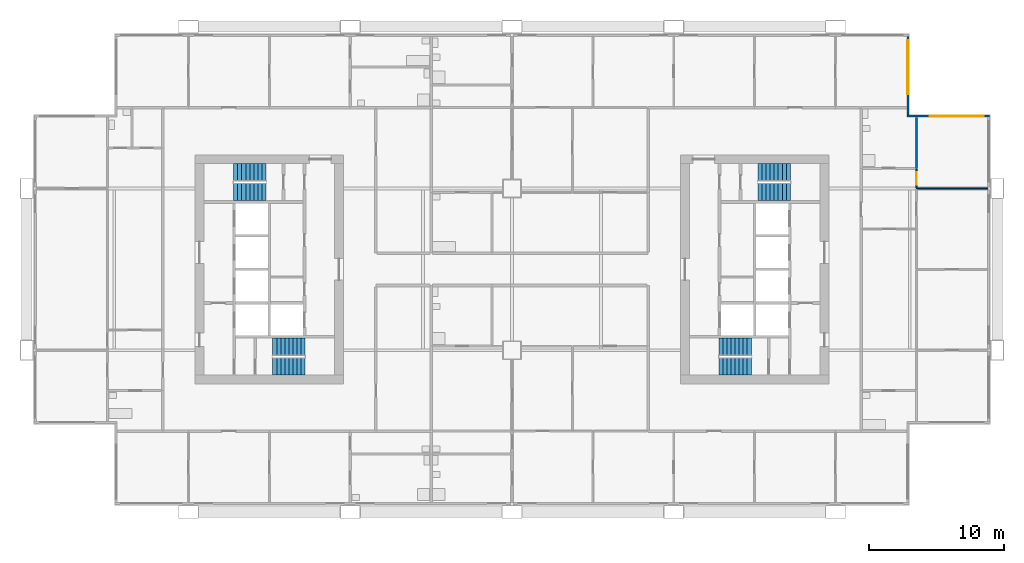
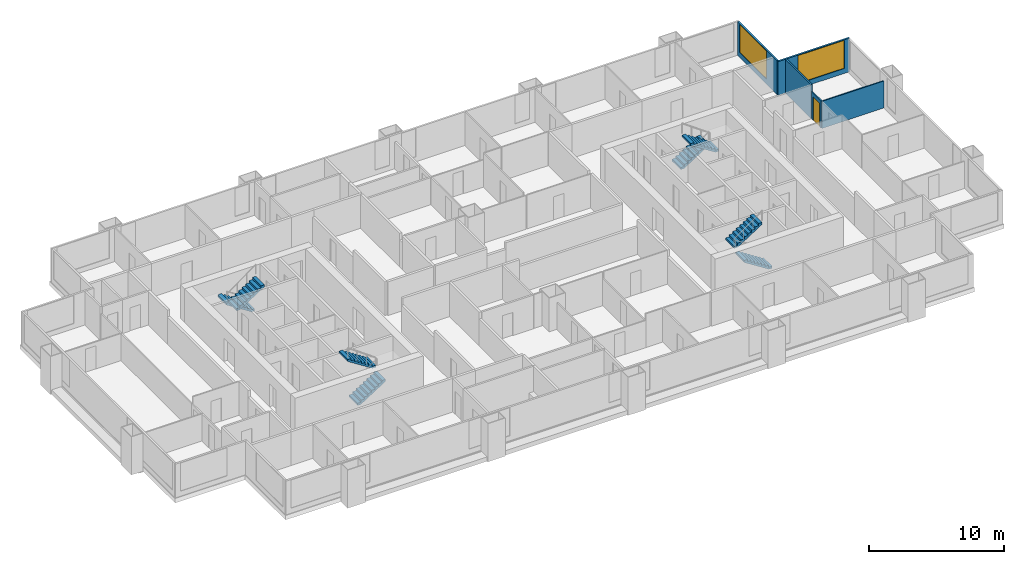
# One storey, part 9 of 11: 8 stair flights, 5 walls, 2 windows, 1 door, 3 openings, 4 elements without a shape of their own.
"""IFC4 building model written with IfcOpenShell, lengths in metres."""

from ifc_helpers import new_model, si_unit, direction, frame, frame_2d, origin, place, context, subcontext, project, spatial, polyline, rectangle, outline, extrude, material, layer, layer_set, type_object, element, fill, aggregate, save


model = new_model("IFC4")

# Units and contexts
model_context = context("Model", 3, precision=1e-05, world=origin(), true_north=direction((0.0, 1.0)))
body_context = subcontext(model_context, "Body", "Model", "MODEL_VIEW")
ifc_project = project(units=[si_unit("LENGTHUNIT", "METRE"), si_unit("AREAUNIT", "SQUARE_METRE"), si_unit("VOLUMEUNIT", "CUBIC_METRE"), si_unit("PLANEANGLEUNIT", "RADIAN"), si_unit("MASSUNIT", "GRAM", prefix="KILO")], contexts=[model_context])

# Site, building, storey
site_placement = place(None, origin())
site = spatial("IfcSite", under=ifc_project, at=site_placement, CompositionType="ELEMENT")
building_placement = place(site_placement, origin())
building = spatial("IfcBuilding", under=site, at=building_placement, Name="Kitamizu Gate Tower and Museum", CompositionType="ELEMENT")
storey_placement = place(building_placement, frame((0.0, 0.0, 106.949951171875)))
storey = spatial("IfcBuildingStorey", under=building, at=storey_placement, Name="L27", CompositionType="ELEMENT", Elevation=106.949951171875)

# Wall
ifc_material_1 = material(Name="Gypsum board on galvanised stud")
ifc_layer_1 = layer(ifc_material_1, 0.10009765625)
ifc_layer_set_1 = layer_set([ifc_layer_1], Name="Gypsum board on galvanised stud")
wall_type_1 = type_object("IfcWallType", Name="Partition 100 NOT RATED", PredefinedType="PARTITIONING", material=ifc_layer_set_1)
wall_1_placement = place(storey_placement, frame((71.280029296875, 36.0, 0.0), z_axis=(0.0, 0.0, 1.0), x_axis=(-1.0, 0.0, 0.0)))
element("IfcWall", 1, at=wall_1_placement, inside=storey, type_object=wall_type_1, Name="Partition L27-073", PredefinedType="PARTITIONING", context=body_context, shape_type="SweptSolid", body=[
    extrude(rectangle(XDim=5.280029296875, YDim=0.10009765625, at=frame_2d((2.64013671875, 0.0))), origin(), (0.0, 0.0, 1.0), 2.449951171875),
])

# Wall, opening, door
wall_2_placement = place(storey_placement, frame((66.0, 37.425048828125, 0.0), z_axis=(0.0, 0.0, 1.0), x_axis=(0.0, -1.0, 0.0)))
wall_2 = element("IfcWall", 2, at=wall_2_placement, inside=storey, type_object=wall_type_1, Name="Partition L27-076", PredefinedType="PARTITIONING", context=body_context, shape_type="SweptSolid", body=[
    extrude(rectangle(XDim=1.375, YDim=0.10009765625, at=frame_2d((0.6875, 0.0))), origin(), (0.0, 0.0, 1.0), 2.449951171875),
])
opening_1_placement = place(wall_2_placement, frame((0.237548828125, 0.0, 0.0)))
opening_1 = element("IfcOpeningElement", 3, at=opening_1_placement, cuts=wall_2, Name="Opening L27-028", PredefinedType="OPENING", context=body_context, shape_type="SweptSolid", body=[
    extrude(rectangle(XDim=0.89990234375, YDim=2.10009765625, at=frame_2d((0.449951171875, 1.050048828125))), frame((0.0, 0.06005859375, 0.0), z_axis=(0.0, -1.0, 0.0), x_axis=(1.0, 0.0, 0.0)), (0.0, 0.0, 1.0), 0.1201171875),
])
ifc_material_2 = material(Name="Timber door set", Category="wood")
door_type = type_object("IfcDoorType", Name="Room door 900", OperationType="NOTDEFINED", PredefinedType="DOOR", material=ifc_material_2)
door_placement = place(opening_1_placement, origin())
door = element("IfcDoor", 4, at=door_placement, inside=storey, type_object=door_type, Name="Door L27-028", OperationType="SINGLE_SWING_LEFT", OverallHeight=2.10009765625, OverallWidth=0.89990234375, PredefinedType="DOOR", context=body_context, shape_type="SweptSolid", body=[
    extrude(rectangle(XDim=0.89990234375, YDim=2.10009765625, at=frame_2d((0.449951171875, 1.050048828125))), frame((0.0, 0.02490234375, 0.0), z_axis=(0.0, -1.0, 0.0), x_axis=(1.0, 0.0, 0.0)), (0.0, 0.0, 1.0), 0.050048828125),
])
fill(opening_1, door)

# Wall
ifc_material_3 = material(Name="Gypsum board on galvanised stud")
ifc_layer_2 = layer(ifc_material_3, 0.14990234375)
ifc_layer_set_2 = layer_set([ifc_layer_2], Name="Gypsum board on galvanised stud")
wall_type_2 = type_object("IfcWallType", Name="Partition 150", PredefinedType="PARTITIONING", material=ifc_layer_set_2)
wall_3_placement = place(storey_placement, frame((66.0, 41.280029296875, 0.0), z_axis=(0.0, 0.0, 1.0), x_axis=(0.0, -1.0, 0.0)))
element("IfcWall", 5, at=wall_3_placement, inside=storey, type_object=wall_type_2, Name="Partition L27-077", PredefinedType="PARTITIONING", context=body_context, shape_type="SweptSolid", body=[
    extrude(rectangle(XDim=3.780029296875, YDim=0.14990234375, at=frame_2d((1.89013671875, 0.0))), origin(), (0.0, 0.0, 1.0), 3.050048828125),
])

# Wall, opening, window
ifc_material_4 = material(Name="Bronze anodised aluminium frame with insulated spandrel and tinted glass", Category="aluminium")
ifc_layer_3 = layer(ifc_material_4, 0.14990234375)
ifc_layer_set_3 = layer_set([ifc_layer_3], Name="Bronze anodised aluminium frame with insulated spandrel and tinted glass")
wall_type_3 = type_object("IfcWallType", Name="WINDOW WALL 150 BRONZE FRAME EI 30", PredefinedType="ELEMENTEDWALL", material=ifc_layer_set_3)
wall_4_placement = place(storey_placement, frame((65.2900390625, 41.364990234375, 0.0), z_axis=(0.0, 0.0, 1.0), x_axis=(1.0, 0.0, 0.0)))
wall_4 = element("IfcWall", 6, at=wall_4_placement, inside=storey, type_object=wall_type_3, Name="Window wall north L27", PredefinedType="ELEMENTEDWALL", context=body_context, shape_type="SweptSolid", body=[
    extrude(rectangle(XDim=6.14990234375, YDim=0.14990234375, at=frame_2d((3.074951171875, 0.0))), origin(), (0.0, 0.0, 1.0), 3.050048828125),
])
opening_2_placement = place(wall_4_placement, frame((1.7099609375, 0.0, 0.449951171875)))
opening_2 = element("IfcOpeningElement", 7, at=opening_2_placement, cuts=wall_4, Name="Opening W16", PredefinedType="OPENING", context=body_context, shape_type="SweptSolid", body=[
    extrude(rectangle(XDim=4.0, YDim=2.550048828125, at=frame_2d((2.0, 1.27490234375))), frame((0.0, 0.0849609375, 0.0), z_axis=(0.0, -1.0, 0.0), x_axis=(1.0, 0.0, 0.0)), (0.0, 0.0, 1.0), 0.169921875),
])
ifc_material_5 = material(Name="Bronze anodised aluminium frame, tinted triple glazing", Category="aluminium")
window_type = type_object("IfcWindowType", Name="WINDOW 4000 x 2550 SILL 450", PartitioningType="SINGLE_PANEL", PredefinedType="WINDOW", material=ifc_material_5)
window_1_placement = place(opening_2_placement, origin())
window_1 = element("IfcWindow", 8, at=window_1_placement, inside=storey, type_object=window_type, Name="Window W16 L27", OverallHeight=2.550048828125, OverallWidth=4.0, PartitioningType="SINGLE_PANEL", PredefinedType="WINDOW", context=body_context, shape_type="SweptSolid", body=[
    extrude(rectangle(XDim=4.0, YDim=2.550048828125, at=frame_2d((2.0, 1.27490234375))), frame((0.0, 0.030029296875, 0.0), z_axis=(0.0, -1.0, 0.0), x_axis=(1.0, 0.0, 0.0)), (0.0, 0.0, 1.0), 0.06005859375),
])
fill(opening_2, window_1)

wall_5_placement = place(storey_placement, frame((65.364990234375, 41.43994140625, 0.0), z_axis=(0.0, 0.0, 1.0), x_axis=(0.0, 1.0, 0.0)))
wall_5 = element("IfcWall", 9, at=wall_5_placement, inside=storey, type_object=wall_type_3, Name="Window wall east L27", PredefinedType="ELEMENTEDWALL", context=body_context, shape_type="SweptSolid", body=[
    extrude(rectangle(XDim=5.85009765625, YDim=0.14990234375, at=frame_2d((2.925048828125, 0.0))), origin(), (0.0, 0.0, 1.0), 3.050048828125),
])
opening_3_placement = place(wall_5_placement, frame((1.56005859375, 0.0, 0.449951171875)))
opening_3 = element("IfcOpeningElement", 10, at=opening_3_placement, cuts=wall_5, Name="Opening W16", PredefinedType="OPENING", context=body_context, shape_type="SweptSolid", body=[
    extrude(rectangle(XDim=4.0, YDim=2.550048828125, at=frame_2d((2.0, 1.27490234375))), frame((0.0, 0.0849609375, 0.0), z_axis=(0.0, -1.0, 0.0), x_axis=(1.0, 0.0, 0.0)), (0.0, 0.0, 1.0), 0.169921875),
])
window_2_placement = place(opening_3_placement, origin())
window_2 = element("IfcWindow", 11, at=window_2_placement, inside=storey, type_object=window_type, Name="Window W16 L27", OverallHeight=2.550048828125, OverallWidth=4.0, PartitioningType="SINGLE_PANEL", PredefinedType="WINDOW", context=body_context, shape_type="SweptSolid", body=[
    extrude(rectangle(XDim=4.0, YDim=2.550048828125, at=frame_2d((2.0, 1.27490234375))), frame((0.0, 0.030029296875, 0.0), z_axis=(0.0, -1.0, 0.0), x_axis=(1.0, 0.0, 0.0)), (0.0, 0.0, 1.0), 0.06005859375),
])
fill(opening_3, window_2)

# Stair, stair flights
ifc_material_6 = material(Name="Concrete Fc42", Category="concrete")
stair_type = type_object("IfcStairType", Name="Exit stair 1275 wide 192 rise 300 going", PredefinedType="HALF_TURN_STAIR", material=ifc_material_6)
stair_1_placement = place(storey_placement, origin())
stair_1 = element("IfcStair", 12, at=stair_1_placement, inside=storey, type_object=stair_type, Name="Exit stair ST1", PredefinedType="HALF_TURN_STAIR")
ifc_material_7 = material(Name="Concrete Fc42", Category="concrete")
stair_flight_type = type_object("IfcStairFlightType", Name="Stair flight 1275 wide 192 rise 300 going", PredefinedType="STRAIGHT", material=ifc_material_7)
stair_flight_1_placement = place(storey_placement, frame((18.25, 22.78759765625, 0.0), z_axis=(0.0, 0.0, 1.0), x_axis=(1.0, 0.0, 0.0)))
stair_flight_1 = element("IfcStairFlight", 13, at=stair_flight_1_placement, type_object=stair_flight_type, Name="ST1 flight 1", NumberOfRisers=9, NumberOfTreads=8, PredefinedType="STRAIGHT", RiserHeight=0.191666667, TreadLength=0.3, context=body_context, shape_type="SweptSolid", body=[
    extrude(outline(polyline([(0.0, 0.0), (0.0, 0.191650390625), (0.300048828125, 0.191650390625), (0.300048828125, 0.38330078125), (0.60009765625, 0.38330078125), (0.60009765625, 0.574951171875), (0.89990234375, 0.574951171875), (0.89990234375, 0.7666015625), (1.199951171875, 0.7666015625), (1.199951171875, 0.958251953125), (1.5, 0.958251953125), (1.5, 1.14990234375), (1.800048828125, 1.14990234375), (1.800048828125, 1.341552734375), (2.10009765625, 1.341552734375), (2.10009765625, 1.533447265625), (2.39990234375, 1.533447265625), (2.39990234375, 1.72509765625), (2.39990234375, 1.35546875), (0.2783203125, 0.0), (0.0, 0.0)])), frame((0.0, 0.637451171875, 0.0), z_axis=(0.0, -1.0, 0.0), x_axis=(1.0, 0.0, 0.0)), (0.0, 0.0, 1.0), 1.27490234375),
])
stair_flight_2_placement = place(storey_placement, frame((20.64990234375, 24.262451171875, 1.72509765625), z_axis=(0.0, 0.0, 1.0), x_axis=(-1.0, 0.0, 0.0)))
stair_flight_2 = element("IfcStairFlight", 14, at=stair_flight_2_placement, type_object=stair_flight_type, Name="ST1 flight 2", NumberOfRisers=9, NumberOfTreads=8, PredefinedType="STRAIGHT", RiserHeight=0.191666667, TreadLength=0.3, context=body_context, shape_type="SweptSolid", body=[
    extrude(outline(polyline([(0.0, 0.0), (0.0, 0.191650390625), (0.300048828125, 0.191650390625), (0.300048828125, 0.38330078125), (0.60009765625, 0.38330078125), (0.60009765625, 0.574951171875), (0.89990234375, 0.574951171875), (0.89990234375, 0.7666015625), (1.199951171875, 0.7666015625), (1.199951171875, 0.958251953125), (1.5, 0.958251953125), (1.5, 1.14990234375), (1.800048828125, 1.14990234375), (1.800048828125, 1.341552734375), (2.10009765625, 1.341552734375), (2.10009765625, 1.533447265625), (2.39990234375, 1.533447265625), (2.39990234375, 1.72509765625), (2.39990234375, 1.35546875), (0.2783203125, 0.0), (0.0, 0.0)])), frame((0.0, 0.637451171875, 0.0), z_axis=(0.0, -1.0, 0.0), x_axis=(1.0, 0.0, 0.0)), (0.0, 0.0, 1.0), 1.27490234375),
])
aggregate(stair_1, [stair_flight_1, stair_flight_2])

stair_2_placement = place(storey_placement, origin())
stair_2 = element("IfcStair", 15, at=stair_2_placement, inside=storey, type_object=stair_type, Name="Exit stair ST2", PredefinedType="HALF_TURN_STAIR")
stair_flight_3_placement = place(storey_placement, frame((17.75, 37.21240234375, 0.0), z_axis=(0.0, 0.0, 1.0), x_axis=(-1.0, 0.0, 0.0)))
stair_flight_3 = element("IfcStairFlight", 16, at=stair_flight_3_placement, type_object=stair_flight_type, Name="ST2 flight 1", NumberOfRisers=9, NumberOfTreads=8, PredefinedType="STRAIGHT", RiserHeight=0.191666667, TreadLength=0.3, context=body_context, shape_type="SweptSolid", body=[
    extrude(outline(polyline([(0.0, 0.0), (0.0, 0.191650390625), (0.300048828125, 0.191650390625), (0.300048828125, 0.38330078125), (0.60009765625, 0.38330078125), (0.60009765625, 0.574951171875), (0.89990234375, 0.574951171875), (0.89990234375, 0.7666015625), (1.199951171875, 0.7666015625), (1.199951171875, 0.958251953125), (1.5, 0.958251953125), (1.5, 1.14990234375), (1.800048828125, 1.14990234375), (1.800048828125, 1.341552734375), (2.10009765625, 1.341552734375), (2.10009765625, 1.533447265625), (2.39990234375, 1.533447265625), (2.39990234375, 1.72509765625), (2.39990234375, 1.35546875), (0.2783203125, 0.0), (0.0, 0.0)])), frame((0.0, 0.637451171875, 0.0), z_axis=(0.0, -1.0, 0.0), x_axis=(1.0, 0.0, 0.0)), (0.0, 0.0, 1.0), 1.27490234375),
])
stair_flight_4_placement = place(storey_placement, frame((15.35009765625, 35.737548828125, 1.72509765625), z_axis=(0.0, 0.0, 1.0), x_axis=(1.0, 0.0, 0.0)))
stair_flight_4 = element("IfcStairFlight", 17, at=stair_flight_4_placement, type_object=stair_flight_type, Name="ST2 flight 2", NumberOfRisers=9, NumberOfTreads=8, PredefinedType="STRAIGHT", RiserHeight=0.191666667, TreadLength=0.3, context=body_context, shape_type="SweptSolid", body=[
    extrude(outline(polyline([(0.0, 0.0), (0.0, 0.191650390625), (0.300048828125, 0.191650390625), (0.300048828125, 0.38330078125), (0.60009765625, 0.38330078125), (0.60009765625, 0.574951171875), (0.89990234375, 0.574951171875), (0.89990234375, 0.7666015625), (1.199951171875, 0.7666015625), (1.199951171875, 0.958251953125), (1.5, 0.958251953125), (1.5, 1.14990234375), (1.800048828125, 1.14990234375), (1.800048828125, 1.341552734375), (2.10009765625, 1.341552734375), (2.10009765625, 1.533447265625), (2.39990234375, 1.533447265625), (2.39990234375, 1.72509765625), (2.39990234375, 1.35546875), (0.2783203125, 0.0), (0.0, 0.0)])), frame((0.0, 0.637451171875, 0.0), z_axis=(0.0, -1.0, 0.0), x_axis=(1.0, 0.0, 0.0)), (0.0, 0.0, 1.0), 1.27490234375),
])
aggregate(stair_2, [stair_flight_3, stair_flight_4])

stair_3_placement = place(storey_placement, origin())
stair_3 = element("IfcStair", 18, at=stair_3_placement, inside=storey, type_object=stair_type, Name="Exit stair ST3", PredefinedType="HALF_TURN_STAIR")
stair_flight_5_placement = place(storey_placement, frame((53.75, 22.78759765625, 0.0), z_axis=(0.0, 0.0, 1.0), x_axis=(-1.0, 0.0, 0.0)))
stair_flight_5 = element("IfcStairFlight", 19, at=stair_flight_5_placement, type_object=stair_flight_type, Name="ST3 flight 1", NumberOfRisers=9, NumberOfTreads=8, PredefinedType="STRAIGHT", RiserHeight=0.191666667, TreadLength=0.3, context=body_context, shape_type="SweptSolid", body=[
    extrude(outline(polyline([(0.0, 0.0), (0.0, 0.191650390625), (0.300048828125, 0.191650390625), (0.300048828125, 0.38330078125), (0.60009765625, 0.38330078125), (0.60009765625, 0.574951171875), (0.89990234375, 0.574951171875), (0.89990234375, 0.7666015625), (1.199951171875, 0.7666015625), (1.199951171875, 0.958251953125), (1.5, 0.958251953125), (1.5, 1.14990234375), (1.800048828125, 1.14990234375), (1.800048828125, 1.341552734375), (2.10009765625, 1.341552734375), (2.10009765625, 1.533447265625), (2.39990234375, 1.533447265625), (2.39990234375, 1.72509765625), (2.39990234375, 1.35546875), (0.2783203125, 0.0), (0.0, 0.0)])), frame((0.0, 0.637451171875, 0.0), z_axis=(0.0, -1.0, 0.0), x_axis=(1.0, 0.0, 0.0)), (0.0, 0.0, 1.0), 1.27490234375),
])
stair_flight_6_placement = place(storey_placement, frame((51.35009765625, 24.262451171875, 1.72509765625), z_axis=(0.0, 0.0, 1.0), x_axis=(1.0, 0.0, 0.0)))
stair_flight_6 = element("IfcStairFlight", 20, at=stair_flight_6_placement, type_object=stair_flight_type, Name="ST3 flight 2", NumberOfRisers=9, NumberOfTreads=8, PredefinedType="STRAIGHT", RiserHeight=0.191666667, TreadLength=0.3, context=body_context, shape_type="SweptSolid", body=[
    extrude(outline(polyline([(0.0, 0.0), (0.0, 0.191650390625), (0.300048828125, 0.191650390625), (0.300048828125, 0.38330078125), (0.60009765625, 0.38330078125), (0.60009765625, 0.574951171875), (0.89990234375, 0.574951171875), (0.89990234375, 0.7666015625), (1.199951171875, 0.7666015625), (1.199951171875, 0.958251953125), (1.5, 0.958251953125), (1.5, 1.14990234375), (1.800048828125, 1.14990234375), (1.800048828125, 1.341552734375), (2.10009765625, 1.341552734375), (2.10009765625, 1.533447265625), (2.39990234375, 1.533447265625), (2.39990234375, 1.72509765625), (2.39990234375, 1.35546875), (0.2783203125, 0.0), (0.0, 0.0)])), frame((0.0, 0.637451171875, 0.0), z_axis=(0.0, -1.0, 0.0), x_axis=(1.0, 0.0, 0.0)), (0.0, 0.0, 1.0), 1.27490234375),
])
aggregate(stair_3, [stair_flight_5, stair_flight_6])

stair_4_placement = place(storey_placement, origin())
stair_4 = element("IfcStair", 21, at=stair_4_placement, inside=storey, type_object=stair_type, Name="Exit stair ST4", PredefinedType="HALF_TURN_STAIR")
stair_flight_7_placement = place(storey_placement, frame((54.25, 37.21240234375, 0.0), z_axis=(0.0, 0.0, 1.0), x_axis=(1.0, 0.0, 0.0)))
stair_flight_7 = element("IfcStairFlight", 22, at=stair_flight_7_placement, type_object=stair_flight_type, Name="ST4 flight 1", NumberOfRisers=9, NumberOfTreads=8, PredefinedType="STRAIGHT", RiserHeight=0.191666667, TreadLength=0.3, context=body_context, shape_type="SweptSolid", body=[
    extrude(outline(polyline([(0.0, 0.0), (0.0, 0.191650390625), (0.300048828125, 0.191650390625), (0.300048828125, 0.38330078125), (0.60009765625, 0.38330078125), (0.60009765625, 0.574951171875), (0.89990234375, 0.574951171875), (0.89990234375, 0.7666015625), (1.199951171875, 0.7666015625), (1.199951171875, 0.958251953125), (1.5, 0.958251953125), (1.5, 1.14990234375), (1.800048828125, 1.14990234375), (1.800048828125, 1.341552734375), (2.10009765625, 1.341552734375), (2.10009765625, 1.533447265625), (2.39990234375, 1.533447265625), (2.39990234375, 1.72509765625), (2.39990234375, 1.35546875), (0.2783203125, 0.0), (0.0, 0.0)])), frame((0.0, 0.637451171875, 0.0), z_axis=(0.0, -1.0, 0.0), x_axis=(1.0, 0.0, 0.0)), (0.0, 0.0, 1.0), 1.27490234375),
])
stair_flight_8_placement = place(storey_placement, frame((56.64990234375, 35.737548828125, 1.72509765625), z_axis=(0.0, 0.0, 1.0), x_axis=(-1.0, 0.0, 0.0)))
stair_flight_8 = element("IfcStairFlight", 23, at=stair_flight_8_placement, type_object=stair_flight_type, Name="ST4 flight 2", NumberOfRisers=9, NumberOfTreads=8, PredefinedType="STRAIGHT", RiserHeight=0.191666667, TreadLength=0.3, context=body_context, shape_type="SweptSolid", body=[
    extrude(outline(polyline([(0.0, 0.0), (0.0, 0.191650390625), (0.300048828125, 0.191650390625), (0.300048828125, 0.38330078125), (0.60009765625, 0.38330078125), (0.60009765625, 0.574951171875), (0.89990234375, 0.574951171875), (0.89990234375, 0.7666015625), (1.199951171875, 0.7666015625), (1.199951171875, 0.958251953125), (1.5, 0.958251953125), (1.5, 1.14990234375), (1.800048828125, 1.14990234375), (1.800048828125, 1.341552734375), (2.10009765625, 1.341552734375), (2.10009765625, 1.533447265625), (2.39990234375, 1.533447265625), (2.39990234375, 1.72509765625), (2.39990234375, 1.35546875), (0.2783203125, 0.0), (0.0, 0.0)])), frame((0.0, 0.637451171875, 0.0), z_axis=(0.0, -1.0, 0.0), x_axis=(1.0, 0.0, 0.0)), (0.0, 0.0, 1.0), 1.27490234375),
])
aggregate(stair_4, [stair_flight_7, stair_flight_8])

save(model, "model.ifc")
